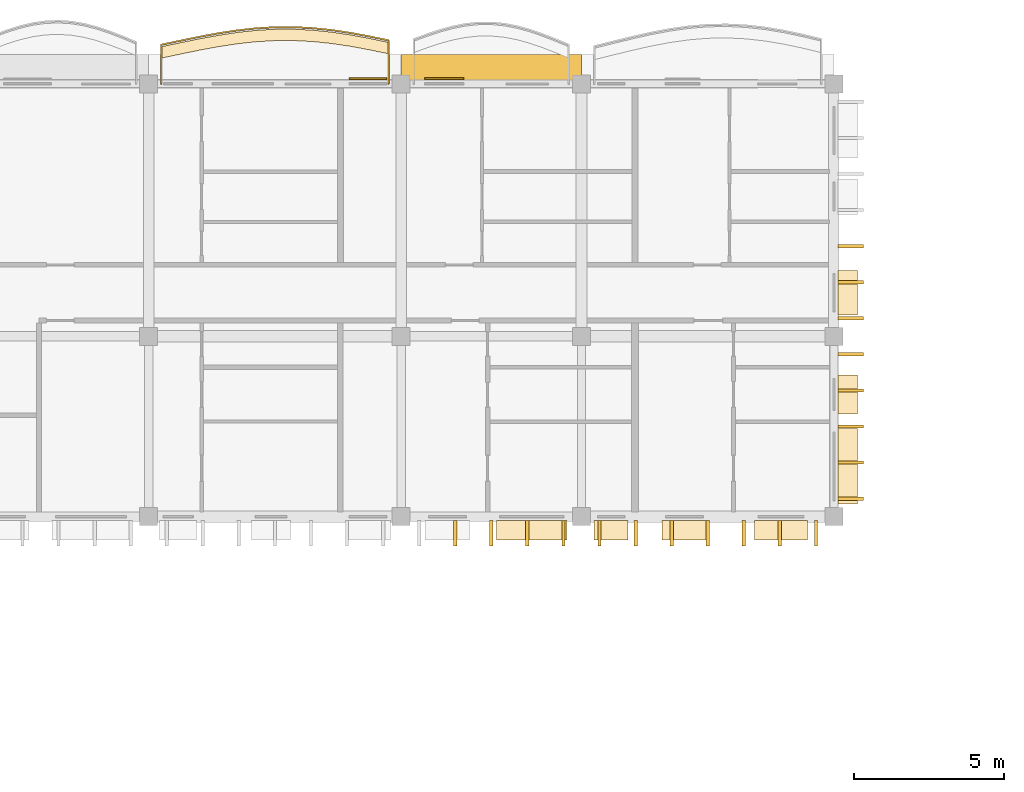
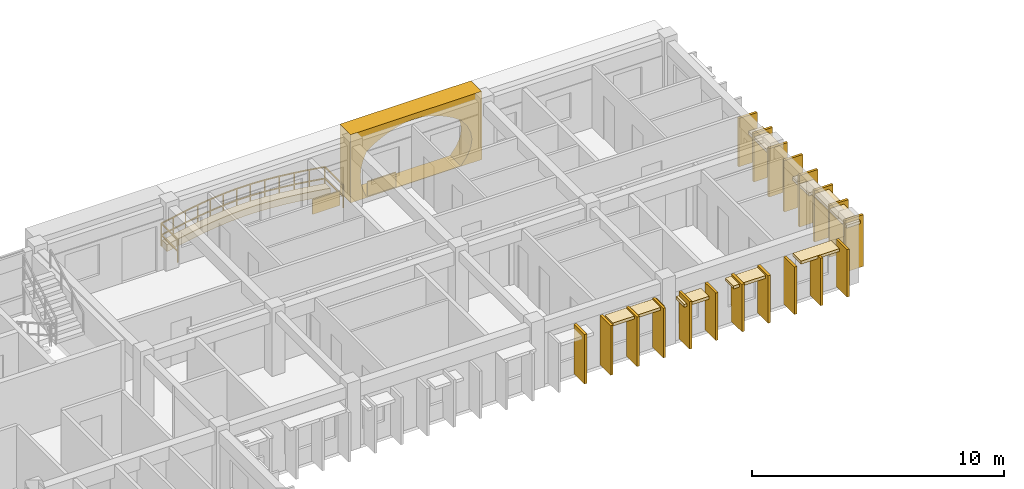
# One storey, part 44 of 59: 30 coverings, 1 railing.
"""IFC4 building model written with IfcOpenShell, lengths in metres."""

from ifc_helpers import new_model, si_unit, direction, frame, origin, origin_2d, place, context, subcontext, project, spatial, polyline, rectangle, outline, extrude, material, layer, layer_set, type_object, element, save


model = new_model("IFC4")

# Units and contexts
model_context = context("Model", 3, precision=1e-05, world=origin(), true_north=direction((0.0, 1.0)))
body_context = subcontext(model_context, "Body", "Model", "MODEL_VIEW")
ifc_project = project(units=[si_unit("LENGTHUNIT", "METRE"), si_unit("AREAUNIT", "SQUARE_METRE"), si_unit("VOLUMEUNIT", "CUBIC_METRE"), si_unit("PLANEANGLEUNIT", "RADIAN"), si_unit("MASSUNIT", "GRAM", prefix="KILO"), si_unit("THERMODYNAMICTEMPERATUREUNIT", "KELVIN")], contexts=[model_context])

# Site, building, storey
site_placement = place(None, origin())
site = spatial("IfcSite", under=ifc_project, at=site_placement, CompositionType="ELEMENT")
building_placement = place(site_placement, origin())
building = spatial("IfcBuilding", under=site, at=building_placement, Name="Thalorik Housing Commons", CompositionType="ELEMENT")
storey_placement = place(building_placement, frame((0.0, 0.0, 27.89990234375)))
storey = spatial("IfcBuildingStorey", under=building, at=storey_placement, Name="L08", CompositionType="ELEMENT", Elevation=27.89990234375)

# Coverings
ifc_material_1 = material(Name="Cobalt blue glazed ceramic facade tile panel", Category="masonry")
ifc_layer_1 = layer(ifc_material_1, 0.06005859375, Name="Cobalt blue glazed ceramic facade tile panel", Category="masonry")
ifc_layer_set_1 = layer_set([ifc_layer_1], Name="Cobalt blue glazed ceramic facade tile panel")
covering_type_1 = type_object("IfcCoveringType", Name="ARC-CLD-BLU-60", PredefinedType="CLADDING", material=ifc_layer_set_1)
covering_1_placement = place(storey_placement, frame((38.636962890625, 123.764892578125, 0.05029296875), z_axis=(0.0, 0.0, 1.0), x_axis=(-1.0, 0.0, 0.0)))
element("IfcCovering", 1, at=covering_1_placement, inside=storey, type_object=covering_type_1, Name="L08 De Stijl Recessed Window Spandrel 858", PredefinedType="CLADDING", context=body_context, shape_type="SweptSolid", body=[
    extrude(rectangle(XDim=1.300048828125, YDim=0.06005859375, at=origin_2d()), origin(), (0.0, 0.0, 1.0), 0.699951171875),
])
ifc_material_2 = material(Name="Precast concrete C40/50", Category="concrete")
ifc_layer_2 = layer(ifc_material_2, 0.85009765625, Name="Precast concrete C40/50", Category="concrete")
ifc_layer_set_2 = layer_set([ifc_layer_2], Name="Precast concrete C40/50")
covering_type_2 = type_object("IfcCoveringType", Name="ARC-CLD-CUSH-850", PredefinedType="CLADDING", material=ifc_layer_set_2)
covering_2_placement = place(storey_placement, frame((40.199951171875, 124.155029296875, 0.0), z_axis=(0.0, 0.0, 1.0), x_axis=(-1.0, 0.0, 0.0)))
element("IfcCovering", 2, at=covering_2_placement, inside=storey, type_object=covering_type_2, Name="L08 White Precast Curved Cushion Bay Frame 857", PredefinedType="CLADDING", context=body_context, shape_type="SweptSolid", body=[
    extrude(outline(polyline([(-3.0, 0.0), (3.0, 0.0), (3.0, 3.300048828125), (-3.0, 3.300048828125), (-3.0, 0.0)]), holes=[polyline([(2.262939453125, 0.02490234375), (2.42236328125, 0.394287109375), (2.51806640625, 0.76318359375), (2.550048828125, 1.132568359375), (2.51806640625, 1.501708984375), (2.42236328125, 1.870849609375), (2.262939453125, 2.239990234375), (1.904296875, 2.4833984375), (1.5458984375, 2.6748046875), (1.187255859375, 2.82958984375), (0.82861328125, 2.94482421875), (0.47021484375, 3.01611328125), (0.111572265625, 3.0400390625), (-0.2470703125, 3.01611328125), (-0.605712890625, 2.94482421875), (-0.964111328125, 2.82958984375), (-1.32275390625, 2.6748046875), (-1.681396484375, 2.4833984375), (-2.0400390625, 2.239990234375), (-2.3232421875, 1.870849609375), (-2.493408203125, 1.501708984375), (-2.550048828125, 1.132568359375), (-2.493408203125, 0.76318359375), (-2.3232421875, 0.394287109375), (-2.0400390625, 0.02490234375), (2.262939453125, 0.02490234375)])]), frame((0.0, 0.425048828125, 0.0), z_axis=(0.0, -1.0, 0.0), x_axis=(1.0, 0.0, 0.0)), (0.0, 0.0, 1.0), 0.85009765625),
])
ifc_layer_3 = layer(ifc_material_2, 0.85009765625, Name="Precast concrete C40/50", Category="concrete")
ifc_layer_set_3 = layer_set([ifc_layer_3], Name="Precast concrete C40/50")
covering_type_3 = type_object("IfcCoveringType", Name="ARC-CLD-FIN-850", PredefinedType="CLADDING", material=ifc_layer_set_3)
for number, where, z_axis, x_axis, name in (
    (3, (39.0, 108.64501953125, 0.0400390625), (0.0, 0.0, 1.0), (1.0, 0.0, 0.0), "L08 Courtyard Precast Vertical Brise-Soleil Fin 822"),
    (4, (40.199951171875, 108.64501953125, 0.0400390625), (0.0, 0.0, 1.0), (1.0, 0.0, 0.0), "L08 Courtyard Precast Vertical Brise-Soleil Fin 823"),
    (5, (41.39990234375, 108.64501953125, 0.0400390625), (0.0, 0.0, 1.0), (1.0, 0.0, 0.0), "L08 Courtyard Precast Vertical Brise-Soleil Fin 824"),
    (6, (42.60009765625, 108.64501953125, 0.0400390625), (0.0, 0.0, 1.0), (1.0, 0.0, 0.0), "L08 Courtyard Precast Vertical Brise-Soleil Fin 825"),
):
    element("IfcCovering", number, at=place(storey_placement, frame(where, z_axis=z_axis, x_axis=x_axis)), inside=storey, type_object=covering_type_3, Name=name, PredefinedType="CLADDING", context=body_context, shape_type="SweptSolid", body=[
        extrude(rectangle(XDim=0.110107421875, YDim=0.85009765625, at=origin_2d()), origin(), (0.0, 0.0, 1.0), 2.39501953125),
    ])
for number, where, z_axis, x_axis, name in (
    (7, (43.800048828125, 108.64501953125, 0.0400390625), (0.0, 0.0, 1.0), (1.0, 0.0, 0.0), "L08 Courtyard Precast Vertical Brise-Soleil Fin 828"),
    (8, (45.0, 108.64501953125, 0.0400390625), (0.0, 0.0, 1.0), (1.0, 0.0, 0.0), "L08 Courtyard Precast Vertical Brise-Soleil Fin 829"),
    (9, (46.199951171875, 108.64501953125, 0.0400390625), (0.0, 0.0, 1.0), (1.0, 0.0, 0.0), "L08 Courtyard Precast Vertical Brise-Soleil Fin 830"),
    (10, (47.39990234375, 108.64501953125, 0.0400390625), (0.0, 0.0, 1.0), (1.0, 0.0, 0.0), "L08 Courtyard Precast Vertical Brise-Soleil Fin 831"),
    (11, (48.60009765625, 108.64501953125, 0.0400390625), (0.0, 0.0, 1.0), (1.0, 0.0, 0.0), "L08 Courtyard Precast Vertical Brise-Soleil Fin 832"),
    (12, (49.800048828125, 108.64501953125, 0.0400390625), (0.0, 0.0, 1.0), (1.0, 0.0, 0.0), "L08 Courtyard Precast Vertical Brise-Soleil Fin 833"),
    (13, (51.0, 108.64501953125, 0.0400390625), (0.0, 0.0, 1.0), (1.0, 0.0, 0.0), "L08 Courtyard Precast Vertical Brise-Soleil Fin 834"),
):
    element("IfcCovering", number, at=place(storey_placement, frame(where, z_axis=z_axis, x_axis=x_axis)), inside=storey, type_object=covering_type_3, Name=name, PredefinedType="CLADDING", context=body_context, shape_type="SweptSolid", body=[
        extrude(rectangle(XDim=0.110107421875, YDim=0.85009765625, at=origin_2d()), origin(), (0.0, 0.0, 1.0), 2.294921875),
    ])
for number, where, z_axis, x_axis, name in (
    (14, (52.155029296875, 109.800048828125, 0.0400390625), (0.0, 0.0, 1.0), (0.0, 1.0, 0.0), "L08 Courtyard Precast Vertical Brise-Soleil Fin 838"),
    (15, (52.155029296875, 111.0, 0.0400390625), (0.0, 0.0, 1.0), (0.0, 1.0, 0.0), "L08 Courtyard Precast Vertical Brise-Soleil Fin 839"),
    (16, (52.155029296875, 112.199951171875, 0.0400390625), (0.0, 0.0, 1.0), (0.0, 1.0, 0.0), "L08 Courtyard Precast Vertical Brise-Soleil Fin 840"),
    (17, (52.155029296875, 113.39990234375, 0.0400390625), (0.0, 0.0, 1.0), (0.0, 1.0, 0.0), "L08 Courtyard Precast Vertical Brise-Soleil Fin 841"),
    (18, (52.155029296875, 114.60009765625, 0.0400390625), (0.0, 0.0, 1.0), (0.0, 1.0, 0.0), "L08 Courtyard Precast Vertical Brise-Soleil Fin 842"),
):
    element("IfcCovering", number, at=place(storey_placement, frame(where, z_axis=z_axis, x_axis=x_axis)), inside=storey, type_object=covering_type_3, Name=name, PredefinedType="CLADDING", context=body_context, shape_type="SweptSolid", body=[
        extrude(rectangle(XDim=0.110107421875, YDim=0.85009765625, at=origin_2d()), origin(), (0.0, 0.0, 1.0), 2.4951171875),
    ])
for number, where, z_axis, x_axis, name in (
    (19, (52.155029296875, 115.800048828125, 0.0400390625), (0.0, 0.0, 1.0), (0.0, 1.0, 0.0), "L08 Courtyard Precast Vertical Brise-Soleil Fin 845"),
    (20, (52.155029296875, 117.0, 0.0400390625), (0.0, 0.0, 1.0), (0.0, 1.0, 0.0), "L08 Courtyard Precast Vertical Brise-Soleil Fin 846"),
    (21, (52.155029296875, 118.199951171875, 0.0400390625), (0.0, 0.0, 1.0), (0.0, 1.0, 0.0), "L08 Courtyard Precast Vertical Brise-Soleil Fin 847"),
):
    element("IfcCovering", number, at=place(storey_placement, frame(where, z_axis=z_axis, x_axis=x_axis)), inside=storey, type_object=covering_type_3, Name=name, PredefinedType="CLADDING", context=body_context, shape_type="SweptSolid", body=[
        extrude(rectangle(XDim=0.110107421875, YDim=0.85009765625, at=origin_2d()), origin(), (0.0, 0.0, 1.0), 2.344970703125),
    ])
ifc_layer_4 = layer(ifc_material_2, 0.64990234375, Name="Precast concrete C40/50", Category="concrete")
ifc_layer_set_4 = layer_set([ifc_layer_4], Name="Precast concrete C40/50")
covering_type_4 = type_object("IfcCoveringType", Name="ARC-CLD-HOOD-650", PredefinedType="CLADDING", material=ifc_layer_set_4)
covering_3_placement = place(storey_placement, frame((41.544921875, 108.7451171875, 2.22998046875), z_axis=(0.0, 0.0, 1.0), x_axis=(1.0, 0.0, 0.0)))
element("IfcCovering", 22, at=covering_3_placement, inside=storey, type_object=covering_type_4, Name="L08 Courtyard Precast Window Sun-Hood 827", PredefinedType="CLADDING", context=body_context, shape_type="SweptSolid", body=[
    extrude(rectangle(XDim=2.360107421875, YDim=0.64990234375, at=origin_2d()), origin(), (0.0, 0.0, 1.0), 0.139892578125),
])
covering_4_placement = place(storey_placement, frame((44.18505859375, 108.7451171875, 1.990234375), z_axis=(0.0, 0.0, 1.0), x_axis=(1.0, 0.0, 0.0)))
element("IfcCovering", 23, at=covering_4_placement, inside=storey, type_object=covering_type_4, Name="L08 Courtyard Precast Window Sun-Hood 835", PredefinedType="CLADDING", context=body_context, shape_type="SweptSolid", body=[
    extrude(rectangle(XDim=1.139892578125, YDim=0.64990234375, at=origin_2d()), origin(), (0.0, 0.0, 1.0), 0.139892578125),
])
covering_5_placement = place(storey_placement, frame((46.6201171875, 108.7451171875, 2.09033203125), z_axis=(0.0, 0.0, 1.0), x_axis=(1.0, 0.0, 0.0)))
element("IfcCovering", 24, at=covering_5_placement, inside=storey, type_object=covering_type_4, Name="L08 Courtyard Precast Window Sun-Hood 836", PredefinedType="CLADDING", context=body_context, shape_type="SweptSolid", body=[
    extrude(rectangle(XDim=1.489990234375, YDim=0.64990234375, at=origin_2d()), origin(), (0.0, 0.0, 1.0), 0.139892578125),
])
covering_6_placement = place(storey_placement, frame((49.8349609375, 108.7451171875, 2.2099609375), z_axis=(0.0, 0.0, 1.0), x_axis=(1.0, 0.0, 0.0)))
element("IfcCovering", 25, at=covering_6_placement, inside=storey, type_object=covering_type_4, Name="L08 Courtyard Precast Window Sun-Hood 837", PredefinedType="CLADDING", context=body_context, shape_type="SweptSolid", body=[
    extrude(rectangle(XDim=1.760009765625, YDim=0.64990234375, at=origin_2d()), origin(), (0.0, 0.0, 1.0), 0.139892578125),
])
covering_7_placement = place(storey_placement, frame((52.054931640625, 110.87548828125, 2.25), z_axis=(0.0, 0.0, 1.0), x_axis=(0.0, 1.0, 0.0)))
element("IfcCovering", 26, at=covering_7_placement, inside=storey, type_object=covering_type_4, Name="L08 Courtyard Precast Window Sun-Hood 843", PredefinedType="CLADDING", context=body_context, shape_type="SweptSolid", body=[
    extrude(rectangle(XDim=2.52001953125, YDim=0.64990234375, at=origin_2d()), origin(), (0.0, 0.0, 1.0), 0.139892578125),
])
covering_8_placement = place(storey_placement, frame((52.054931640625, 113.26513671875, 1.990234375), z_axis=(0.0, 0.0, 1.0), x_axis=(0.0, 1.0, 0.0)))
element("IfcCovering", 27, at=covering_8_placement, inside=storey, type_object=covering_type_4, Name="L08 Courtyard Precast Window Sun-Hood 844", PredefinedType="CLADDING", context=body_context, shape_type="SweptSolid", body=[
    extrude(rectangle(XDim=1.2900390625, YDim=0.64990234375, at=origin_2d()), origin(), (0.0, 0.0, 1.0), 0.139892578125),
])
covering_9_placement = place(storey_placement, frame((52.054931640625, 116.64990234375, 2.09033203125), z_axis=(0.0, 0.0, 1.0), x_axis=(0.0, 1.0, 0.0)))
element("IfcCovering", 28, at=covering_9_placement, inside=storey, type_object=covering_type_4, Name="L08 Courtyard Precast Window Sun-Hood 852", PredefinedType="CLADDING", context=body_context, shape_type="SweptSolid", body=[
    extrude(rectangle(XDim=1.489990234375, YDim=0.64990234375, at=origin_2d()), origin(), (0.0, 0.0, 1.0), 0.139892578125),
])
ifc_material_3 = material(Name="Mineral ochre architectural terracotta panel", Category="masonry")
ifc_layer_5 = layer(ifc_material_3, 0.06494140625, Name="Mineral ochre architectural terracotta panel", Category="masonry")
ifc_layer_set_5 = layer_set([ifc_layer_5], Name="Mineral ochre architectural terracotta panel")
covering_type_5 = type_object("IfcCoveringType", Name="ARC-CLD-YEL-65", PredefinedType="CLADDING", material=ifc_layer_set_5)
covering_10_placement = place(storey_placement, frame((36.094970703125, 123.767578125, 0.05029296875), z_axis=(0.0, 0.0, 1.0), x_axis=(-1.0, 0.0, 0.0)))
element("IfcCovering", 29, at=covering_10_placement, inside=storey, type_object=covering_type_5, Name="L08 De Stijl Recessed Window Spandrel 860", PredefinedType="CLADDING", context=body_context, shape_type="SweptSolid", body=[
    extrude(rectangle(XDim=1.25, YDim=0.06494140625, at=origin_2d()), origin(), (0.0, 0.0, 1.0), 0.699951171875),
])
ifc_material_4 = material(Name="Planted vegetated substrate and terracotta trough", Category="masonry")
ifc_layer_6 = layer(ifc_material_4, 0.340087890625, Name="Planted vegetated substrate and terracotta trough", Category="masonry")
ifc_layer_set_6 = layer_set([ifc_layer_6], Name="Planted vegetated substrate and terracotta trough")
covering_type_6 = type_object("IfcCoveringType", Name="ARC-COV-PLANTER", PredefinedType="USERDEFINED", material=ifc_layer_set_6)
covering_11_placement = place(storey_placement, origin())
element("IfcCovering", 30, at=covering_11_placement, inside=storey, type_object=covering_type_6, Name="L08 Balcony Slab-Edge Planted Trough 5372", ObjectType="PLANTER", PredefinedType="USERDEFINED", context=body_context, shape_type="SweptSolid", body=[
    extrude(outline(polyline([(36.780029296875, 124.978515625), (36.14990234375, 125.110107421875), (35.52001953125, 125.226806640625), (34.889892578125, 125.32080078125), (34.260009765625, 125.386474609375), (33.6298828125, 125.4189453125), (33.0, 125.41650390625), (32.3701171875, 125.379638671875), (31.739990234375, 125.310791015625), (31.110107421875, 125.214599609375), (30.47998046875, 125.09765625), (29.85009765625, 124.968017578125), (29.219970703125, 124.834228515625), (29.219970703125, 124.4541015625), (29.85009765625, 124.587890625), (30.47998046875, 124.717529296875), (31.110107421875, 124.83447265625), (31.739990234375, 124.9306640625), (32.3701171875, 124.99951171875), (33.0, 125.03662109375), (33.6298828125, 125.038818359375), (34.260009765625, 125.00634765625), (34.889892578125, 124.94091796875), (35.52001953125, 124.8466796875), (36.14990234375, 124.72998046875), (36.780029296875, 124.5986328125), (36.780029296875, 124.978515625)])), origin(), (0.0, 0.0, 1.0), 0.340087890625),
])

# Railing
ifc_material_5 = material(Name="Steel S355", Category="steel")
railing_type = type_object("IfcRailingType", Name="ARC-RL-BAL-112", PredefinedType="BALUSTRADE", material=ifc_material_5)
railing_placement = place(storey_placement, frame((36.780029296875, 123.60009765625, 0.0)))
element("IfcRailing", 31, at=railing_placement, inside=storey, type_object=railing_type, Name="L08 Cushion Balcony Guardrail 56", PredefinedType="BALUSTRADE", context=body_context, shape_type="SweptSolid", body=[
    extrude(rectangle(XDim=0.050048828125, YDim=0.050048828125, at=origin_2d()), frame((0.0, 0.0, 1.09521484375), z_axis=(0.0, 1.0, 0.0), x_axis=(-1.0, 0.0, 0.0)), (0.0, 0.0, 1.0), 1.448486328125),
    extrude(rectangle(XDim=0.050048828125, YDim=0.050048828125, at=origin_2d()), frame((0.0, 0.0, 0.53515625), z_axis=(0.0, 1.0, 0.0), x_axis=(-1.0, 0.0, 0.0)), (0.0, 0.0, 1.0), 1.448486328125),
    extrude(rectangle(XDim=0.050048828125, YDim=0.050048828125, at=origin_2d()), frame((0.0, 1.448486328125, 1.09521484375), z_axis=(-0.978958325316, 0.204060278582, 0.0), x_axis=(-0.204060278582, -0.978958325316, 0.0)), (0.0, 0.0, 1.0), 0.6435546875),
    extrude(rectangle(XDim=0.050048828125, YDim=0.050048828125, at=origin_2d()), frame((0.0, 1.448486328125, 0.53515625), z_axis=(-0.978958325316, 0.204060278582, 0.0), x_axis=(-0.204060278582, -0.978958325316, 0.0)), (0.0, 0.0, 1.0), 0.6435546875),
    extrude(rectangle(XDim=0.050048828125, YDim=0.050048828125, at=origin_2d()), frame((-0.630126953125, 1.579833984375, 1.09521484375), z_axis=(-0.983266838, 0.182171142854, 0.0), x_axis=(-0.182171142854, -0.983266838, 0.0)), (0.0, 0.0, 1.0), 0.640625),
    extrude(rectangle(XDim=0.050048828125, YDim=0.050048828125, at=origin_2d()), frame((-0.630126953125, 1.579833984375, 0.53515625), z_axis=(-0.983266838, 0.182171142854, 0.0), x_axis=(-0.182171142854, -0.983266838, 0.0)), (0.0, 0.0, 1.0), 0.640625),
    extrude(rectangle(XDim=0.050048828125, YDim=0.050048828125, at=origin_2d()), frame((-1.260009765625, 1.696533203125, 1.09521484375), z_axis=(-0.989000903893, 0.147909472647, 0.0), x_axis=(-0.147909472647, -0.989000903893, 0.0)), (0.0, 0.0, 1.0), 0.63720703125),
    extrude(rectangle(XDim=0.050048828125, YDim=0.050048828125, at=origin_2d()), frame((-1.260009765625, 1.696533203125, 0.53515625), z_axis=(-0.989000903893, 0.147909472647, 0.0), x_axis=(-0.147909472647, -0.989000903893, 0.0)), (0.0, 0.0, 1.0), 0.63720703125),
    extrude(rectangle(XDim=0.050048828125, YDim=0.050048828125, at=origin_2d()), frame((-1.89013671875, 1.790771484375, 1.09521484375), z_axis=(-0.994648163406, 0.10332004178, 0.0), x_axis=(-0.10332004178, -0.994648163406, 0.0)), (0.0, 0.0, 1.0), 0.63330078125),
    extrude(rectangle(XDim=0.050048828125, YDim=0.050048828125, at=origin_2d()), frame((-1.89013671875, 1.790771484375, 0.53515625), z_axis=(-0.994648163406, 0.10332004178, 0.0), x_axis=(-0.10332004178, -0.994648163406, 0.0)), (0.0, 0.0, 1.0), 0.63330078125),
    extrude(rectangle(XDim=0.050048828125, YDim=0.050048828125, at=origin_2d()), frame((-2.52001953125, 1.856201171875, 1.09521484375), z_axis=(-0.998654986307, 0.05184803106, 0.0), x_axis=(-0.05184803106, -0.998654986307, 0.0)), (0.0, 0.0, 1.0), 0.630859375),
    extrude(rectangle(XDim=0.050048828125, YDim=0.050048828125, at=origin_2d()), frame((-2.52001953125, 1.856201171875, 0.53515625), z_axis=(-0.998654986307, 0.05184803106, 0.0), x_axis=(-0.05184803106, -0.998654986307, 0.0)), (0.0, 0.0, 1.0), 0.630859375),
    extrude(rectangle(XDim=0.050048828125, YDim=0.050048828125, at=origin_2d()), frame((-3.150146484375, 1.888916015625, 1.09521484375), z_axis=(-0.999992488517, -0.003875939878, 0.0), x_axis=(0.003875939878, -0.999992488517, 0.0)), (0.0, 0.0, 1.0), 0.6298828125),
    extrude(rectangle(XDim=0.050048828125, YDim=0.050048828125, at=origin_2d()), frame((-3.150146484375, 1.888916015625, 0.53515625), z_axis=(-0.999992488517, -0.003875939878, 0.0), x_axis=(0.003875939878, -0.999992488517, 0.0)), (0.0, 0.0, 1.0), 0.6298828125),
    extrude(rectangle(XDim=0.050048828125, YDim=0.050048828125, at=origin_2d()), frame((-3.780029296875, 1.886474609375, 1.09521484375), z_axis=(-0.998291674977, -0.058427148419, 0.0), x_axis=(0.058427148419, -0.998291674977, 0.0)), (0.0, 0.0, 1.0), 0.630859375),
    extrude(rectangle(XDim=0.050048828125, YDim=0.050048828125, at=origin_2d()), frame((-3.780029296875, 1.886474609375, 0.53515625), z_axis=(-0.998291674977, -0.058427148419, 0.0), x_axis=(0.058427148419, -0.998291674977, 0.0)), (0.0, 0.0, 1.0), 0.630859375),
    extrude(rectangle(XDim=0.050048828125, YDim=0.050048828125, at=origin_2d()), frame((-4.409912109375, 1.849609375, 1.09521484375), z_axis=(-0.994042387071, -0.108994186572, 0.0), x_axis=(0.108994186572, -0.994042387071, 0.0)), (0.0, 0.0, 1.0), 0.6337890625),
    extrude(rectangle(XDim=0.050048828125, YDim=0.050048828125, at=origin_2d()), frame((-4.409912109375, 1.849609375, 0.53515625), z_axis=(-0.994042387071, -0.108994186572, 0.0), x_axis=(0.108994186572, -0.994042387071, 0.0)), (0.0, 0.0, 1.0), 0.6337890625),
    extrude(rectangle(XDim=0.050048828125, YDim=0.050048828125, at=origin_2d()), frame((-5.0400390625, 1.780517578125, 1.09521484375), z_axis=(-0.988539414432, -0.150962995847, 0.0), x_axis=(0.150962995847, -0.988539414432, 0.0)), (0.0, 0.0, 1.0), 0.63720703125),
    extrude(rectangle(XDim=0.050048828125, YDim=0.050048828125, at=origin_2d()), frame((-5.0400390625, 1.780517578125, 0.53515625), z_axis=(-0.988539414432, -0.150962995847, 0.0), x_axis=(0.150962995847, -0.988539414432, 0.0)), (0.0, 0.0, 1.0), 0.63720703125),
    extrude(rectangle(XDim=0.050048828125, YDim=0.050048828125, at=origin_2d()), frame((-5.669921875, 1.684326171875, 1.09521484375), z_axis=(-0.983211198872, -0.182471198861, 0.0), x_axis=(0.182471198861, -0.983211198872, 0.0)), (0.0, 0.0, 1.0), 0.640869140625),
    extrude(rectangle(XDim=0.050048828125, YDim=0.050048828125, at=origin_2d()), frame((-5.669921875, 1.684326171875, 0.53515625), z_axis=(-0.983211198872, -0.182471198861, 0.0), x_axis=(0.182471198861, -0.983211198872, 0.0)), (0.0, 0.0, 1.0), 0.640869140625),
    extrude(rectangle(XDim=0.050048828125, YDim=0.050048828125, at=origin_2d()), frame((-6.300048828125, 1.5673828125, 1.09521484375), z_axis=(-0.979470273401, -0.201588649293, 0.0), x_axis=(0.201588649293, -0.979470273401, 0.0)), (0.0, 0.0, 1.0), 0.64306640625),
    extrude(rectangle(XDim=0.050048828125, YDim=0.050048828125, at=origin_2d()), frame((-6.300048828125, 1.5673828125, 0.53515625), z_axis=(-0.979470273401, -0.201588649293, 0.0), x_axis=(0.201588649293, -0.979470273401, 0.0)), (0.0, 0.0, 1.0), 0.64306640625),
    extrude(rectangle(XDim=0.050048828125, YDim=0.050048828125, at=origin_2d()), frame((-6.929931640625, 1.437744140625, 1.09521484375), z_axis=(-0.978271412584, -0.207328346642, 0.0), x_axis=(0.207328346642, -0.978271412584, 0.0)), (0.0, 0.0, 1.0), 0.64404296875),
    extrude(rectangle(XDim=0.050048828125, YDim=0.050048828125, at=origin_2d()), frame((-6.929931640625, 1.437744140625, 0.53515625), z_axis=(-0.978271412584, -0.207328346642, 0.0), x_axis=(0.207328346642, -0.978271412584, 0.0)), (0.0, 0.0, 1.0), 0.64404296875),
    extrude(rectangle(XDim=0.050048828125, YDim=0.050048828125, at=origin_2d()), frame((-7.56005859375, 1.30419921875, 1.09521484375), z_axis=(0.0, -1.0, 0.0), x_axis=(1.0, 0.0, 0.0)), (0.0, 0.0, 1.0), 1.30419921875),
    extrude(rectangle(XDim=0.050048828125, YDim=0.050048828125, at=origin_2d()), frame((-7.56005859375, 1.30419921875, 0.53515625), z_axis=(0.0, -1.0, 0.0), x_axis=(1.0, 0.0, 0.0)), (0.0, 0.0, 1.0), 1.30419921875),
    extrude(rectangle(XDim=0.0419921875, YDim=0.0419921875, at=origin_2d()), origin(), (0.0, 0.0, 1.0), 1.070068359375),
    extrude(rectangle(XDim=0.0419921875, YDim=0.0419921875, at=origin_2d()), frame((0.0, 1.448486328125, 0.0)), (0.0, 0.0, 1.0), 1.070068359375),
    extrude(rectangle(XDim=0.0419921875, YDim=0.0419921875, at=origin_2d()), frame((-0.630126953125, 1.579833984375, 0.0)), (0.0, 0.0, 1.0), 1.070068359375),
    extrude(rectangle(XDim=0.0419921875, YDim=0.0419921875, at=origin_2d()), frame((-1.260009765625, 1.696533203125, 0.0)), (0.0, 0.0, 1.0), 1.070068359375),
    extrude(rectangle(XDim=0.0419921875, YDim=0.0419921875, at=origin_2d()), frame((-1.89013671875, 1.790771484375, 0.0)), (0.0, 0.0, 1.0), 1.070068359375),
    extrude(rectangle(XDim=0.0419921875, YDim=0.0419921875, at=origin_2d()), frame((-2.52001953125, 1.856201171875, 0.0)), (0.0, 0.0, 1.0), 1.070068359375),
    extrude(rectangle(XDim=0.0419921875, YDim=0.0419921875, at=origin_2d()), frame((-3.150146484375, 1.888916015625, 0.0)), (0.0, 0.0, 1.0), 1.070068359375),
    extrude(rectangle(XDim=0.0419921875, YDim=0.0419921875, at=origin_2d()), frame((-3.780029296875, 1.886474609375, 0.0)), (0.0, 0.0, 1.0), 1.070068359375),
    extrude(rectangle(XDim=0.0419921875, YDim=0.0419921875, at=origin_2d()), frame((-4.409912109375, 1.849609375, 0.0)), (0.0, 0.0, 1.0), 1.070068359375),
    extrude(rectangle(XDim=0.0419921875, YDim=0.0419921875, at=origin_2d()), frame((-5.0400390625, 1.780517578125, 0.0)), (0.0, 0.0, 1.0), 1.070068359375),
    extrude(rectangle(XDim=0.0419921875, YDim=0.0419921875, at=origin_2d()), frame((-5.669921875, 1.684326171875, 0.0)), (0.0, 0.0, 1.0), 1.070068359375),
    extrude(rectangle(XDim=0.0419921875, YDim=0.0419921875, at=origin_2d()), frame((-6.300048828125, 1.5673828125, 0.0)), (0.0, 0.0, 1.0), 1.070068359375),
    extrude(rectangle(XDim=0.0419921875, YDim=0.0419921875, at=origin_2d()), frame((-6.929931640625, 1.437744140625, 0.0)), (0.0, 0.0, 1.0), 1.070068359375),
    extrude(rectangle(XDim=0.0419921875, YDim=0.0419921875, at=origin_2d()), frame((-7.56005859375, 1.30419921875, 0.0)), (0.0, 0.0, 1.0), 1.070068359375),
    extrude(rectangle(XDim=0.0419921875, YDim=0.0419921875, at=origin_2d()), frame((-7.56005859375, 0.0, 0.0)), (0.0, 0.0, 1.0), 1.070068359375),
])

save(model, "model.ifc")
